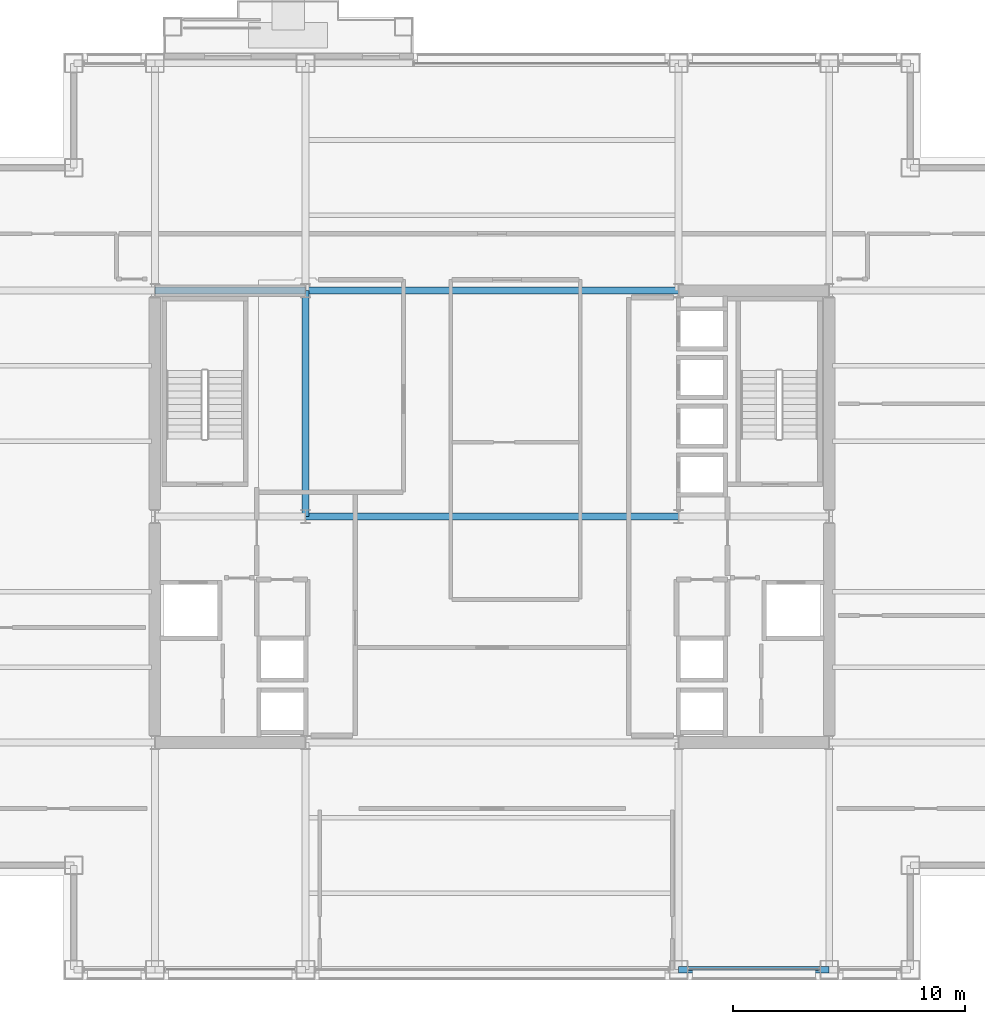
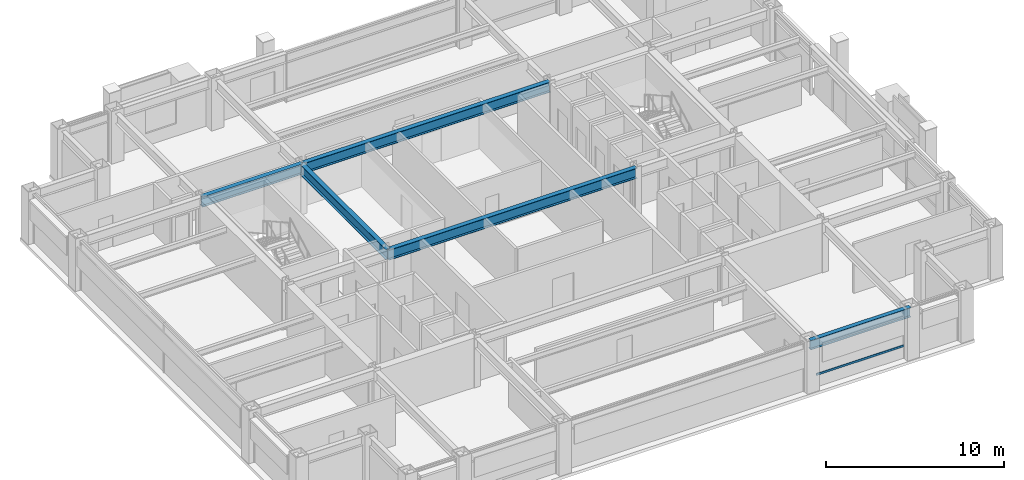
# One storey, part 11 of 29: 5 beams, 1 member, 1 element without a shape of its own.
"""IFC4 building model written with IfcOpenShell, lengths in metres."""

from ifc_helpers import new_model, si_unit, direction, frame, origin, origin_2d, place, context, subcontext, project, spatial, hollow_rectangle, i_section, extrude, material, layer, layer_set, material_profile, profile_set, type_object, element, aggregate, save


model = new_model("IFC4")

# Units and contexts
model_context = context("Model", 3, precision=1e-05, world=origin(), true_north=direction((0.0, 1.0)))
body_context = subcontext(model_context, "Body", "Model", "MODEL_VIEW")
ifc_project = project(units=[si_unit("LENGTHUNIT", "METRE"), si_unit("AREAUNIT", "SQUARE_METRE"), si_unit("VOLUMEUNIT", "CUBIC_METRE"), si_unit("PLANEANGLEUNIT", "RADIAN"), si_unit("MASSUNIT", "GRAM", prefix="KILO")], contexts=[model_context])

# Site, building, storey
site_placement = place(None, origin())
site = spatial("IfcSite", under=ifc_project, at=site_placement, CompositionType="ELEMENT")
building_placement = place(site_placement, origin())
building = spatial("IfcBuilding", under=site, at=building_placement, Name="Brelmoor Portico Tower", CompositionType="ELEMENT")
storey_placement = place(building_placement, frame((0.0, 0.0, 124.199951171875)))
storey = spatial("IfcBuildingStorey", under=building, at=storey_placement, Name="L32", CompositionType="ELEMENT", Elevation=124.199951171875)

# Beams
ifc_material_1 = material(Name="Steel Q355B", Category="steel")
ifc_material_profile_1 = material_profile(ifc_material_1, i_section(OverallWidth=0.300048828125, OverallDepth=0.699951171875, WebThickness=0.012939453125, FlangeThickness=0.02392578125, at=origin_2d()), Name="HN 700x300x13x24")
ifc_profile_set_1 = profile_set([ifc_material_profile_1], Name="Steel Q355B")
beam_type_1 = type_object("IfcBeamType", Name="BM-PG-700", PredefinedType="BEAM", material=ifc_profile_set_1)
beam_1_placement = place(storey_placement, frame((-8.050048828125, 0.0, 3.050048828125), z_axis=(0.0, 1.0, 0.0), x_axis=(-1.0, 0.0, 0.0)))
element("IfcBeam", 1, at=beam_1_placement, inside=storey, type_object=beam_type_1, Name="L32 Primary Floor Girder PG-06", PredefinedType="BEAM", context=body_context, shape_type="SweptSolid", body=[
    extrude(i_section(OverallWidth=0.300048828125, OverallDepth=0.699951171875, WebThickness=0.012939453125, FlangeThickness=0.02392578125, at=origin_2d()), origin(), (0.0, 0.0, 1.0), 9.75),
])
beam_2_placement = place(storey_placement, frame((-8.050048828125, 0.0, 3.050048828125), z_axis=(1.0, 0.0, 0.0), x_axis=(0.0, 1.0, 0.0)))
element("IfcBeam", 2, at=beam_2_placement, inside=storey, type_object=beam_type_1, Name="L32 Primary Floor Girder PG-20", PredefinedType="BEAM", context=body_context, shape_type="SweptSolid", body=[
    extrude(i_section(OverallWidth=0.300048828125, OverallDepth=0.699951171875, WebThickness=0.012939453125, FlangeThickness=0.02392578125, at=origin_2d()), origin(), (0.0, 0.0, 1.0), 16.10009765625),
])
beam_3_placement = place(storey_placement, frame((-14.550048828125, 9.75, 3.050048828125), z_axis=(1.0, 0.0, 0.0), x_axis=(0.0, 1.0, 0.0)))
element("IfcBeam", 3, at=beam_3_placement, inside=storey, type_object=beam_type_1, Name="L32 Primary Floor Girder PG-23", PredefinedType="BEAM", context=body_context, shape_type="SweptSolid", body=[
    extrude(i_section(OverallWidth=0.300048828125, OverallDepth=0.699951171875, WebThickness=0.012939453125, FlangeThickness=0.02392578125, at=origin_2d()), origin(), (0.0, 0.0, 1.0), 6.5),
])
beam_4_placement = place(storey_placement, frame((-8.050048828125, 9.75, 3.050048828125), z_axis=(1.0, 0.0, 0.0), x_axis=(0.0, 1.0, 0.0)))
element("IfcBeam", 4, at=beam_4_placement, inside=storey, type_object=beam_type_1, Name="L32 Primary Floor Girder PG-24", PredefinedType="BEAM", context=body_context, shape_type="SweptSolid", body=[
    extrude(i_section(OverallWidth=0.300048828125, OverallDepth=0.699951171875, WebThickness=0.012939453125, FlangeThickness=0.02392578125, at=origin_2d()), origin(), (0.0, 0.0, 1.0), 16.10009765625),
])
ifc_material_profile_2 = material_profile(ifc_material_1, i_section(OverallWidth=0.280029296875, OverallDepth=0.64990234375, WebThickness=0.012939453125, FlangeThickness=0.02197265625, at=origin_2d()), Name="HN 650x280x13x22")
ifc_profile_set_2 = profile_set([ifc_material_profile_2], Name="Steel Q355B")
beam_type_2 = type_object("IfcBeamType", Name="BM-SP-650", PredefinedType="SPANDREL", material=ifc_profile_set_2)
beam_5_placement = place(storey_placement, frame((8.050048828125, -19.550048828125, 3.074951171875), z_axis=(1.0, 0.0, 0.0), x_axis=(0.0, 1.0, 0.0)))
element("IfcBeam", 5, at=beam_5_placement, inside=storey, type_object=beam_type_2, Name="L32 Perimeter Spandrel Beam SP-04", PredefinedType="SPANDREL", context=body_context, shape_type="SweptSolid", body=[
    extrude(i_section(OverallWidth=0.280029296875, OverallDepth=0.64990234375, WebThickness=0.012939453125, FlangeThickness=0.02197265625, at=origin_2d()), origin(), (0.0, 0.0, 1.0), 6.5),
])

# Curtain wall, member
ifc_material_2 = material(Name="Anodised Aluminium Alloy 6063-T6", Category="aluminium")
ifc_layer = layer(ifc_material_2, 0.179931640625)
ifc_layer_set = layer_set([ifc_layer], Name="Anodised Aluminium Alloy 6063-T6")
curtain_wall_type = type_object("IfcCurtainWallType", Name="CW-TOWER-Z2", PredefinedType="NOTDEFINED", material=ifc_layer_set)
curtain_wall_placement = place(storey_placement, origin())
curtain_wall = element("IfcCurtainWall", 6, at=curtain_wall_placement, inside=storey, type_object=curtain_wall_type, Name="L32 Curtain Wall CW-L32-01-4", PredefinedType="NOTDEFINED")
ifc_material_profile_3 = material_profile(ifc_material_2, hollow_rectangle(XDim=0.06494140625, YDim=0.139892578125, WallThickness=0.00390625, at=origin_2d()), Name="ALU TRANSOM 65x140")
ifc_profile_set_3 = profile_set([ifc_material_profile_3], Name="Anodised Aluminium Alloy 6063-T6")
member_type = type_object("IfcMemberType", Name="MB-CW-TRAN-140", PredefinedType="USERDEFINED", material=ifc_profile_set_3)
member_placement = place(storey_placement, frame((8.4599609375, -19.550048828125, 0.85009765625), z_axis=(1.0, 0.0, 0.0), x_axis=(0.0, 1.0, 0.0)))
member = element("IfcMember", 7, at=member_placement, type_object=member_type, Name="CW-L32-01-4 Transom 1-00", ObjectType="TRANSOM", PredefinedType="USERDEFINED", context=body_context, shape_type="SweptSolid", body=[
    extrude(hollow_rectangle(XDim=0.06494140625, YDim=0.139892578125, WallThickness=0.00390625, at=origin_2d()), origin(), (0.0, 0.0, 1.0), 5.679931640625),
])
aggregate(curtain_wall, [member])

save(model, "model.ifc")
